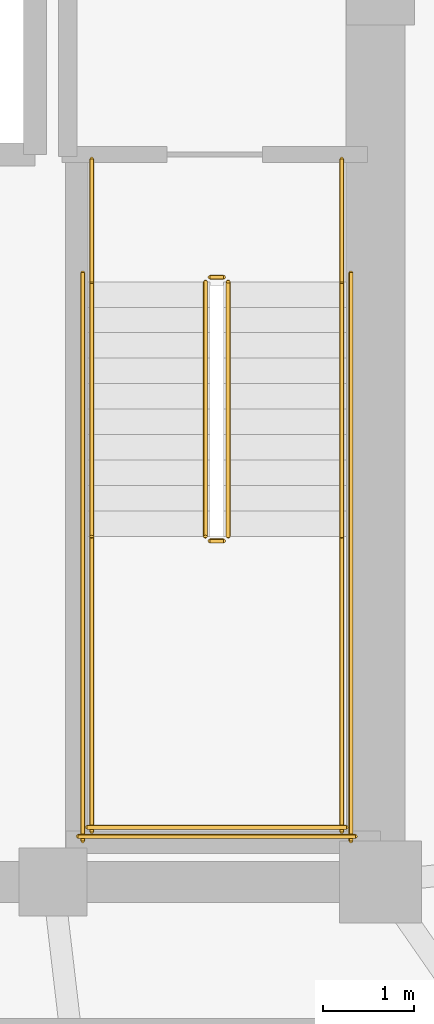
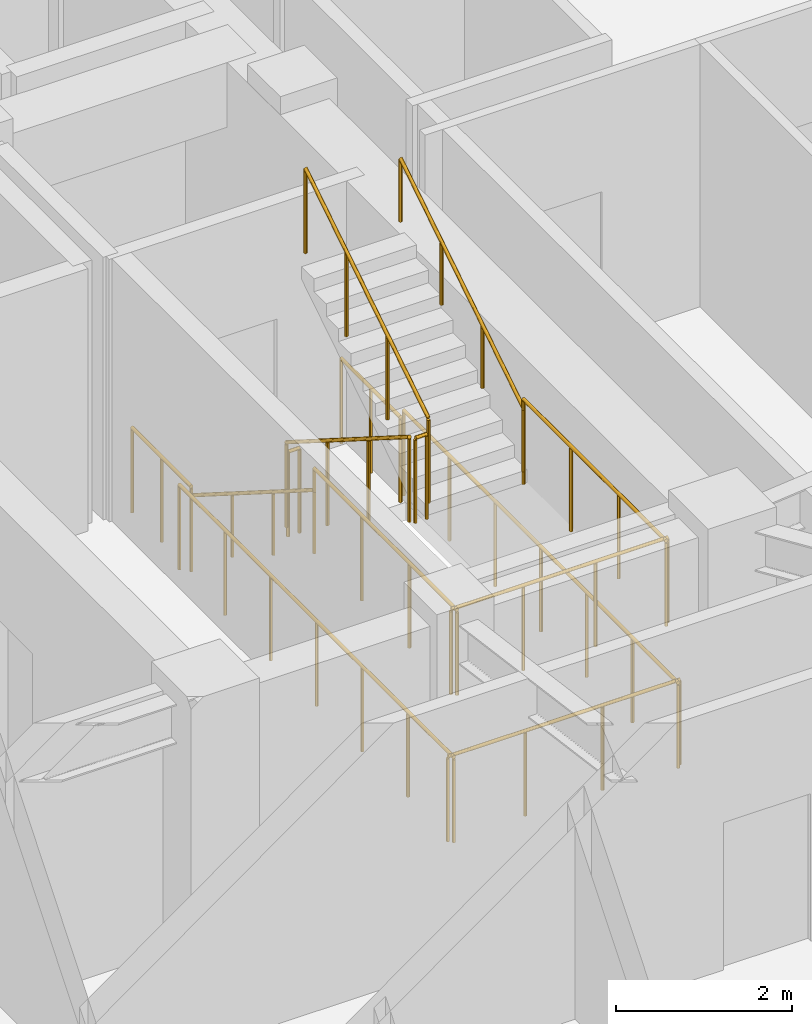
# One storey, part 11 of 11: 14 railings.
"""IFC4 building model written with IfcOpenShell, lengths in metres."""

import ifcopenshell
import ifcopenshell.guid

model = None  # the IFC model being written
_history = None  # IfcOwnerHistory: only IFC2X3 demands one
_inside = {}  # id of a spatial element -> (the spatial element, [elements in it])
_under = {}  # id of a project, library or spatial element -> (it, [spatial elements below it])
_declared = {}  # id of a project -> (the project, [libraries it declares])
_typed = {}  # id of a type object -> (the type object, [elements of that type])
_made_of = {}  # id of a material, layer set ... -> (it, [elements and type objects made of it])


def new_model(schema):
    """Start an empty IFC model of exactly this schema.

    Asked for "IFC4X3", IfcOpenShell would pick the latest addendum, in which some entities
    have other attributes; the version numbers below select the first issue.
    IFC2X3 requires an IfcOwnerHistory on every rooted entity: one is made here for all.
    """
    global model, _history
    if schema == "IFC4X3":
        model = ifcopenshell.file(schema_version=(4, 3, 0, 0))
    else:
        model = ifcopenshell.file(schema=schema)
    _inside.clear()
    _under.clear()
    _declared.clear()
    _typed.clear()
    _made_of.clear()
    _history = None
    if model.schema == "IFC2X3":
        org = make("IfcOrganization", Name="unknown")
        user = make(
            "IfcPersonAndOrganization",
            ThePerson=make("IfcPerson", FamilyName="unknown"),
            TheOrganization=org,
        )
        app = make(
            "IfcApplication",
            ApplicationDeveloper=org,
            Version="unknown",
            ApplicationFullName="unknown",
            ApplicationIdentifier="unknown",
        )
        _history = make(
            "IfcOwnerHistory",
            OwningUser=user,
            OwningApplication=app,
            ChangeAction="ADDED",
            CreationDate=0,
        )
    return model


def make(cls, **values):
    """One entity of the class cls with the attributes given. An attribute that is None is left unset."""
    return model.create_entity(
        cls, **{name: value for name, value in values.items() if value is not None}
    )


def rooted(cls, **values):
    """An entity with a GlobalId (a new one), such as an element, a storey or a relation."""
    return make(cls, GlobalId=ifcopenshell.guid.new(), OwnerHistory=_history, **values)


def si_unit(unit_type, name, prefix=None):
    """IfcSIUnit, for example si_unit("LENGTHUNIT", "METRE", prefix="MILLI")."""
    return make("IfcSIUnit", UnitType=unit_type, Prefix=prefix, Name=name)


def assignment(units):
    """IfcUnitAssignment: the units of a project."""
    return None if units is None else make("IfcUnitAssignment", Units=units)


def point(xyz):
    """IfcCartesianPoint."""
    return None if xyz is None else make("IfcCartesianPoint", Coordinates=xyz)


def direction(xyz):
    """IfcDirection."""
    return None if xyz is None else make("IfcDirection", DirectionRatios=xyz)


def frame(location, z_axis=None, x_axis=None):
    """IfcAxis2Placement3D, a coordinate frame: its origin and axes. An axis left out is left unset."""
    return make(
        "IfcAxis2Placement3D",
        Location=point(location),
        Axis=direction(z_axis),
        RefDirection=direction(x_axis),
    )


def frame_2d(location, x_axis=None):
    """IfcAxis2Placement2D, a coordinate frame in the plane: its origin and x axis."""
    return make(
        "IfcAxis2Placement2D", Location=point(location), RefDirection=direction(x_axis)
    )


def origin():
    """The frame at (0, 0, 0) with its axes left unset."""
    return frame((0.0, 0.0, 0.0))


def origin_2d():
    """The frame at (0, 0) in the plane with its x axis left unset."""
    return frame_2d((0.0, 0.0))


def place(relative_to, where):
    """IfcLocalPlacement: puts the frame where relative to a parent placement (None: the world)."""
    return make(
        "IfcLocalPlacement", PlacementRelTo=relative_to, RelativePlacement=where
    )


def context(
    kind, dimensions, precision=None, world=None, true_north=None, identifier=None
):
    """IfcGeometricRepresentationContext, for example the 3D "Model" context."""
    return make(
        "IfcGeometricRepresentationContext",
        ContextIdentifier=identifier,
        ContextType=kind,
        CoordinateSpaceDimension=dimensions,
        Precision=precision,
        WorldCoordinateSystem=world,
        TrueNorth=true_north,
    )


def subcontext(parent, identifier, kind, view, scale=None):
    """IfcGeometricRepresentationSubContext, for example "Body" below "Model"."""
    return make(
        "IfcGeometricRepresentationSubContext",
        ContextIdentifier=identifier,
        ContextType=kind,
        ParentContext=parent,
        TargetScale=scale,
        TargetView=view,
    )


def project(units=None, contexts=None):
    """IfcProject with its units and contexts."""
    return rooted(
        "IfcProject",
        Name="project",
        RepresentationContexts=contexts,
        UnitsInContext=assignment(units),
    )


def spatial(cls, under=None, at=None, **own):
    """A site, building, storey or space (cls), placed at a placement, below another one or the project."""
    s = rooted(cls, ObjectPlacement=at, **own)
    if under is not None:
        _under.setdefault(under.id(), (under, []))[1].append(s)
    return s


def profile(cls, at=None, kind="AREA", **sizes):
    """A parametric profile (cls). Its sizes go by their IFC names, for example OverallWidth=200.0."""
    return make(cls, ProfileType=kind, Position=at, **sizes)


def circle(**sizes):
    """IfcCircleProfileDef."""
    return profile("IfcCircleProfileDef", **sizes)


def extrude(swept, where, along, depth):
    """IfcExtrudedAreaSolid: the profile swept, set in the frame where, extruded along a direction by depth."""
    return make(
        "IfcExtrudedAreaSolid",
        SweptArea=swept,
        Position=where,
        ExtrudedDirection=direction(along),
        Depth=depth,
    )


def shape(context_of_items, identifier, shape_type, items):
    """IfcShapeRepresentation: the items that make up one representation, for example the "Body"."""
    return make(
        "IfcShapeRepresentation",
        ContextOfItems=context_of_items,
        RepresentationIdentifier=identifier,
        RepresentationType=shape_type,
        Items=items,
    )


def material(Name=None, Category=None):
    """IfcMaterial."""
    return make("IfcMaterial", Name=Name, Category=Category)


def made_of(thing, what):
    """Note that an element or type object is made of a material, layer set ...; save() writes the relation."""
    if what is not None:
        _made_of.setdefault(what.id(), (what, []))[1].append(thing)
    return thing


def type_object(cls, material=None, **own):
    """A type object (cls), such as IfcWallType, which elements share."""
    return made_of(rooted(cls, **own), material)


def element(
    cls,
    number,
    at=None,
    inside=None,
    cuts=None,
    type_object=None,
    material=None,
    context=None,
    identifier="Body",
    shape_type=None,
    held_by="IfcProductDefinitionShape",
    body=None,
    shapes=None,
    **own,
):
    """One element of the class cls, such as IfcWall. Its Tag is "e" and its number.

    at: its placement. inside: the storey or other place that contains it. cuts: it is an
    opening in that element (IfcRelVoidsElement). A single representation is given by context,
    identifier, shape_type and body (its items); several are given by shapes. held_by: the class
    of the entity that holds the representations. save() writes the other relations.
    """
    e = rooted(cls, Tag="e%d" % number, ObjectPlacement=at, **own)
    if body is not None:
        shapes = [shape(context, identifier, shape_type, body)]
    if shapes is not None:
        e.Representation = make(held_by, Representations=shapes)
    if inside is not None:
        _inside.setdefault(inside.id(), (inside, []))[1].append(e)
    if cuts is not None:
        rooted(
            "IfcRelVoidsElement", RelatingBuildingElement=cuts, RelatedOpeningElement=e
        )
    if type_object is not None:
        _typed.setdefault(type_object.id(), (type_object, []))[1].append(e)
    return made_of(e, material)


def aggregate(whole, parts):
    """IfcRelAggregates: a whole, such as a stair, and the parts it consists of."""
    return rooted("IfcRelAggregates", RelatingObject=whole, RelatedObjects=parts)


def save(model, path):
    """Write the relations noted so far, then the file.

    IfcRelAggregates (storeys below a building ...), IfcRelContainedInSpatialStructure (elements
    in a storey), IfcRelDefinesByType, IfcRelAssociatesMaterial and IfcRelDeclares: one each for
    every whole, place, type object, material and project.
    """
    for whole, parts in _under.values():
        aggregate(whole, parts)
    for where, things in _inside.values():
        rooted(
            "IfcRelContainedInSpatialStructure",
            RelatedElements=things,
            RelatingStructure=where,
        )
    for kind, things in _typed.values():
        rooted("IfcRelDefinesByType", RelatedObjects=things, RelatingType=kind)
    for what, things in _made_of.values():
        rooted("IfcRelAssociatesMaterial", RelatedObjects=things, RelatingMaterial=what)
    for by, libraries in _declared.values():
        rooted("IfcRelDeclares", RelatingContext=by, RelatedDefinitions=libraries)
    model.write(path)


model = new_model("IFC4")

# Units and contexts
model_context = context("Model", 3, precision=1e-05, world=origin(), true_north=direction((0.0, 1.0)))
body_context = subcontext(model_context, "Body", "Model", "MODEL_VIEW")
ifc_project = project(units=[si_unit("LENGTHUNIT", "METRE"), si_unit("AREAUNIT", "SQUARE_METRE"), si_unit("VOLUMEUNIT", "CUBIC_METRE"), si_unit("PLANEANGLEUNIT", "RADIAN"), si_unit("MASSUNIT", "GRAM", prefix="KILO")], contexts=[model_context])

# Site, building, storey
site_placement = place(None, origin())
site = spatial("IfcSite", under=ifc_project, at=site_placement, CompositionType="ELEMENT")
building_placement = place(site_placement, origin())
building = spatial("IfcBuilding", under=site, at=building_placement, Name="Voryun Gate Residences", CompositionType="ELEMENT")
storey_placement = place(building_placement, frame((0.0, 0.0, 247.0)))
storey = spatial("IfcBuildingStorey", under=building, at=storey_placement, Name="L61", CompositionType="ELEMENT", Elevation=247.0)

# Railings
ifc_material_1 = material(Name="Painted steel", Category="steel")
railing_type_1 = type_object("IfcRailingType", Name="RAIL_STAIR_GUARD_1200", PredefinedType="GUARDRAIL", material=ifc_material_1)
railing_1_placement = place(storey_placement, frame((17.27490234375, -0.800048828125, 0.17724609375)))
element("IfcRailing", 1, at=railing_1_placement, inside=storey, type_object=railing_type_1, Name="L61 ST-E1 stair guard 1", PredefinedType="GUARDRAIL", context=body_context, shape_type="SweptSolid", body=[
    extrude(circle(Radius=0.02392578125, at=origin_2d()), frame((0.0, 0.0, 1.17578125), z_axis=(0.0, -0.844908973607, 0.534910110503), x_axis=(1.0, 0.0, 0.0)), (0.0, 0.0, 1.0), 3.31396484375),
    extrude(circle(Radius=0.02099609375, at=origin_2d()), origin(), (0.0, 0.0, 1.0), 1.15185546875),
    extrude(circle(Radius=0.02099609375, at=origin_2d()), frame((0.0, -0.933349609375, 0.5908203125)), (0.0, 0.0, 1.0), 1.15185546875),
    extrude(circle(Radius=0.02099609375, at=origin_2d()), frame((0.0, -1.86669921875, 1.181884765625)), (0.0, 0.0, 1.0), 1.15185546875),
    extrude(circle(Radius=0.02099609375, at=origin_2d()), frame((0.0, -2.800048828125, 1.772705078125)), (0.0, 0.0, 1.0), 1.15185546875),
])
railing_2_placement = place(storey_placement, frame((17.324951171875, -3.64990234375, 1.949951171875)))
element("IfcRailing", 2, at=railing_2_placement, inside=storey, type_object=railing_type_1, Name="L61 ST-E1 stair guard 2", PredefinedType="GUARDRAIL", context=body_context, shape_type="SweptSolid", body=[
    extrude(circle(Radius=0.02392578125, at=origin_2d()), frame((0.0, 0.0, 1.17578125), z_axis=(1.0, 0.0, 0.0), x_axis=(0.0, 1.0, 0.0)), (0.0, 0.0, 1.0), 0.150146484375),
    extrude(circle(Radius=0.02099609375, at=origin_2d()), origin(), (0.0, 0.0, 1.0), 1.15185546875),
    extrude(circle(Radius=0.02099609375, at=origin_2d()), frame((0.150146484375, 0.0, 0.0)), (0.0, 0.0, 1.0), 1.15185546875),
])
for number, where, name in (
    (3, (16.02490234375, -3.60009765625, 1.949951171875), "L61 ST-E1 stair guard 3"),
    (4, (18.77490234375, -3.60009765625, 1.949951171875), "L61 ST-E1 stair guard 4"),
):
    element("IfcRailing", number, at=place(storey_placement, frame(where)), inside=storey, type_object=railing_type_1, Name=name, PredefinedType="GUARDRAIL", context=body_context, shape_type="SweptSolid", body=[
        extrude(circle(Radius=0.02392578125, at=origin_2d()), frame((0.0, 0.0, 1.17578125), z_axis=(0.0, -1.0, 0.0), x_axis=(1.0, 0.0, 0.0)), (0.0, 0.0, 1.0), 3.25),
        extrude(circle(Radius=0.02099609375, at=origin_2d()), origin(), (0.0, 0.0, 1.0), 1.15185546875),
        extrude(circle(Radius=0.02099609375, at=origin_2d()), frame((0.0, -1.083251953125, 0.0)), (0.0, 0.0, 1.0), 1.15185546875),
        extrude(circle(Radius=0.02099609375, at=origin_2d()), frame((0.0, -2.166748046875, 0.0)), (0.0, 0.0, 1.0), 1.15185546875),
        extrude(circle(Radius=0.02099609375, at=origin_2d()), frame((0.0, -3.25, 0.0)), (0.0, 0.0, 1.0), 1.15185546875),
    ])
railing_3_placement = place(storey_placement, frame((15.97509765625, -6.800048828125, 1.949951171875)))
element("IfcRailing", 5, at=railing_3_placement, inside=storey, type_object=railing_type_1, Name="L61 ST-E1 stair guard 5", PredefinedType="GUARDRAIL", context=body_context, shape_type="SweptSolid", body=[
    extrude(circle(Radius=0.02392578125, at=origin_2d()), frame((0.0, 0.0, 1.17578125), z_axis=(1.0, 0.0, 0.0), x_axis=(0.0, 1.0, 0.0)), (0.0, 0.0, 1.0), 2.849853515625),
    extrude(circle(Radius=0.02099609375, at=origin_2d()), origin(), (0.0, 0.0, 1.0), 1.15185546875),
    extrude(circle(Radius=0.02099609375, at=origin_2d()), frame((0.949951171875, 0.0, 0.0)), (0.0, 0.0, 1.0), 1.15185546875),
    extrude(circle(Radius=0.02099609375, at=origin_2d()), frame((1.89990234375, 0.0, 0.0)), (0.0, 0.0, 1.0), 1.15185546875),
    extrude(circle(Radius=0.02099609375, at=origin_2d()), frame((2.849853515625, 0.0, 0.0)), (0.0, 0.0, 1.0), 1.15185546875),
])
railing_4_placement = place(storey_placement, frame((17.52490234375, -3.60009765625, 2.127197265625)))
element("IfcRailing", 6, at=railing_4_placement, inside=storey, type_object=railing_type_1, Name="L61 ST-E1 stair guard 6", PredefinedType="GUARDRAIL", context=body_context, shape_type="SweptSolid", body=[
    extrude(circle(Radius=0.02392578125, at=origin_2d()), frame((0.0, 0.0, 1.17578125), z_axis=(0.0, 0.844908973607, 0.534910110503), x_axis=(-1.0, 0.0, 0.0)), (0.0, 0.0, 1.0), 3.31396484375),
    extrude(circle(Radius=0.02099609375, at=origin_2d()), origin(), (0.0, 0.0, 1.0), 1.15185546875),
    extrude(circle(Radius=0.02099609375, at=origin_2d()), frame((0.0, 0.933349609375, 0.5908203125)), (0.0, 0.0, 1.0), 1.15185546875),
    extrude(circle(Radius=0.02099609375, at=origin_2d()), frame((0.0, 1.86669921875, 1.181884765625)), (0.0, 0.0, 1.0), 1.15185546875),
    extrude(circle(Radius=0.02099609375, at=origin_2d()), frame((0.0, 2.800048828125, 1.772705078125)), (0.0, 0.0, 1.0), 1.15185546875),
])
railing_5_placement = place(storey_placement, frame((17.324951171875, -0.75, 0.0)))
element("IfcRailing", 7, at=railing_5_placement, inside=storey, type_object=railing_type_1, Name="L61 ST-E1 stair guard 7", PredefinedType="GUARDRAIL", context=body_context, shape_type="SweptSolid", body=[
    extrude(circle(Radius=0.02392578125, at=origin_2d()), frame((0.0, 0.0, 1.17578125), z_axis=(1.0, 0.0, 0.0), x_axis=(0.0, 1.0, 0.0)), (0.0, 0.0, 1.0), 0.150146484375),
    extrude(circle(Radius=0.02099609375, at=origin_2d()), origin(), (0.0, 0.0, 1.0), 1.15185546875),
    extrude(circle(Radius=0.02099609375, at=origin_2d()), frame((0.150146484375, 0.0, 0.0)), (0.0, 0.0, 1.0), 1.15185546875),
])
for number, where, name in (
    (8, (16.02490234375, 0.550048828125, 0.0), "L61 ST-E1 stair guard 8"),
    (9, (18.77490234375, 0.550048828125, 0.0), "L61 ST-E1 stair guard 9"),
):
    element("IfcRailing", number, at=place(storey_placement, frame(where)), inside=storey, type_object=railing_type_1, Name=name, PredefinedType="GUARDRAIL", context=body_context, shape_type="SweptSolid", body=[
        extrude(circle(Radius=0.02392578125, at=origin_2d()), frame((0.0, 0.0, 1.17578125), z_axis=(0.0, -1.0, 0.0), x_axis=(1.0, 0.0, 0.0)), (0.0, 0.0, 1.0), 1.35009765625),
        extrude(circle(Radius=0.02099609375, at=origin_2d()), origin(), (0.0, 0.0, 1.0), 1.15185546875),
        extrude(circle(Radius=0.02099609375, at=origin_2d()), frame((0.0, -0.675048828125, 0.0)), (0.0, 0.0, 1.0), 1.15185546875),
        extrude(circle(Radius=0.02099609375, at=origin_2d()), frame((0.0, -1.35009765625, 0.0)), (0.0, 0.0, 1.0), 1.15185546875),
    ])
for number, where, name in (
    (10, (15.925048828125, -0.699951171875, 0.0), "L61 ST-E1 stair guard 10"),
    (11, (18.875, -0.699951171875, 0.0), "L61 ST-E1 stair guard 11"),
):
    element("IfcRailing", number, at=place(storey_placement, frame(where)), inside=storey, type_object=railing_type_1, Name=name, PredefinedType="GUARDRAIL", context=body_context, shape_type="SweptSolid", body=[
        extrude(circle(Radius=0.02392578125, at=origin_2d()), frame((0.0, 0.0, 1.17578125), z_axis=(0.0, -1.0, 0.0), x_axis=(1.0, 0.0, 0.0)), (0.0, 0.0, 1.0), 6.25),
        extrude(circle(Radius=0.02099609375, at=origin_2d()), origin(), (0.0, 0.0, 1.0), 1.15185546875),
        extrude(circle(Radius=0.02099609375, at=origin_2d()), frame((0.0, -1.041748046875, 0.0)), (0.0, 0.0, 1.0), 1.15185546875),
        extrude(circle(Radius=0.02099609375, at=origin_2d()), frame((0.0, -2.083251953125, 0.0)), (0.0, 0.0, 1.0), 1.15185546875),
        extrude(circle(Radius=0.02099609375, at=origin_2d()), frame((0.0, -3.125, 0.0)), (0.0, 0.0, 1.0), 1.15185546875),
        extrude(circle(Radius=0.02099609375, at=origin_2d()), frame((0.0, -4.166748046875, 0.0)), (0.0, 0.0, 1.0), 1.15185546875),
        extrude(circle(Radius=0.02099609375, at=origin_2d()), frame((0.0, -5.208251953125, 0.0)), (0.0, 0.0, 1.0), 1.15185546875),
        extrude(circle(Radius=0.02099609375, at=origin_2d()), frame((0.0, -6.25, 0.0)), (0.0, 0.0, 1.0), 1.15185546875),
    ])
railing_6_placement = place(storey_placement, frame((15.875, -6.89990234375, 0.0)))
element("IfcRailing", 12, at=railing_6_placement, inside=storey, type_object=railing_type_1, Name="L61 ST-E1 stair guard 12", PredefinedType="GUARDRAIL", context=body_context, shape_type="SweptSolid", body=[
    extrude(circle(Radius=0.02392578125, at=origin_2d()), frame((0.0, 0.0, 1.17578125), z_axis=(1.0, 0.0, 0.0), x_axis=(0.0, 1.0, 0.0)), (0.0, 0.0, 1.0), 3.050048828125),
    extrude(circle(Radius=0.02099609375, at=origin_2d()), origin(), (0.0, 0.0, 1.0), 1.15185546875),
    extrude(circle(Radius=0.02099609375, at=origin_2d()), frame((1.0166015625, 0.0, 0.0)), (0.0, 0.0, 1.0), 1.15185546875),
    extrude(circle(Radius=0.02099609375, at=origin_2d()), frame((2.033447265625, 0.0, 0.0)), (0.0, 0.0, 1.0), 1.15185546875),
    extrude(circle(Radius=0.02099609375, at=origin_2d()), frame((3.050048828125, 0.0, 0.0)), (0.0, 0.0, 1.0), 1.15185546875),
])
ifc_material_2 = material(Name="Painted steel", Category="steel")
railing_type_2 = type_object("IfcRailingType", Name="RAIL_STAIR_HANDRAIL_900", PredefinedType="HANDRAIL", material=ifc_material_2)
railing_7_placement = place(storey_placement, frame((16.02490234375, -0.800048828125, 0.17724609375)))
element("IfcRailing", 13, at=railing_7_placement, inside=storey, type_object=railing_type_2, Name="L61 ST-E1 stair handrail 1", PredefinedType="HANDRAIL", context=body_context, shape_type="SweptSolid", body=[
    extrude(circle(Radius=0.02392578125, at=origin_2d()), frame((0.0, 0.0, 0.8759765625), z_axis=(0.0, -0.844908973607, 0.534910110503), x_axis=(1.0, 0.0, 0.0)), (0.0, 0.0, 1.0), 3.31396484375),
    extrude(circle(Radius=0.02099609375, at=origin_2d()), origin(), (0.0, 0.0, 1.0), 0.851806640625),
    extrude(circle(Radius=0.02099609375, at=origin_2d()), frame((0.0, -0.933349609375, 0.5908203125)), (0.0, 0.0, 1.0), 0.851806640625),
    extrude(circle(Radius=0.02099609375, at=origin_2d()), frame((0.0, -1.86669921875, 1.181884765625)), (0.0, 0.0, 1.0), 0.851806640625),
    extrude(circle(Radius=0.02099609375, at=origin_2d()), frame((0.0, -2.800048828125, 1.772705078125)), (0.0, 0.0, 1.0), 0.851806640625),
])
railing_8_placement = place(storey_placement, frame((18.77490234375, -3.60009765625, 2.127197265625)))
element("IfcRailing", 14, at=railing_8_placement, inside=storey, type_object=railing_type_2, Name="L61 ST-E1 stair handrail 2", PredefinedType="HANDRAIL", context=body_context, shape_type="SweptSolid", body=[
    extrude(circle(Radius=0.02392578125, at=origin_2d()), frame((0.0, 0.0, 0.8759765625), z_axis=(0.0, 0.844908973607, 0.534910110503), x_axis=(-1.0, 0.0, 0.0)), (0.0, 0.0, 1.0), 3.31396484375),
    extrude(circle(Radius=0.02099609375, at=origin_2d()), origin(), (0.0, 0.0, 1.0), 0.851806640625),
    extrude(circle(Radius=0.02099609375, at=origin_2d()), frame((0.0, 0.933349609375, 0.5908203125)), (0.0, 0.0, 1.0), 0.851806640625),
    extrude(circle(Radius=0.02099609375, at=origin_2d()), frame((0.0, 1.86669921875, 1.181884765625)), (0.0, 0.0, 1.0), 0.851806640625),
    extrude(circle(Radius=0.02099609375, at=origin_2d()), frame((0.0, 2.800048828125, 1.772705078125)), (0.0, 0.0, 1.0), 0.851806640625),
])

save(model, "model.ifc")
